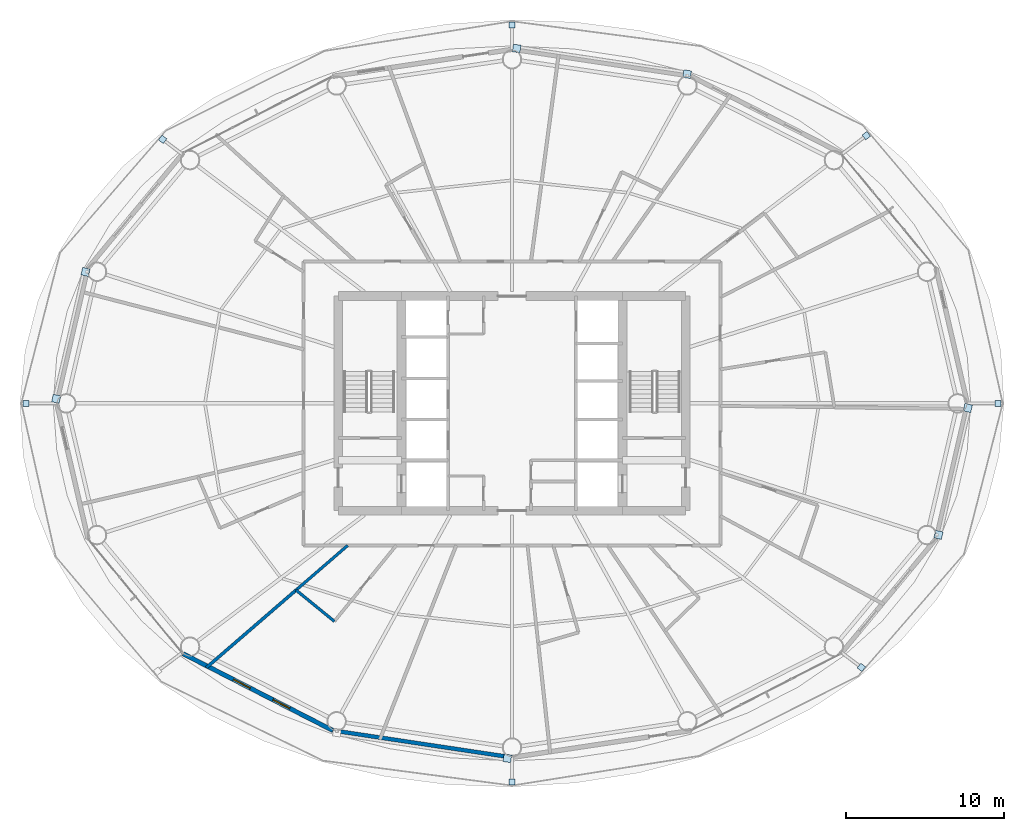
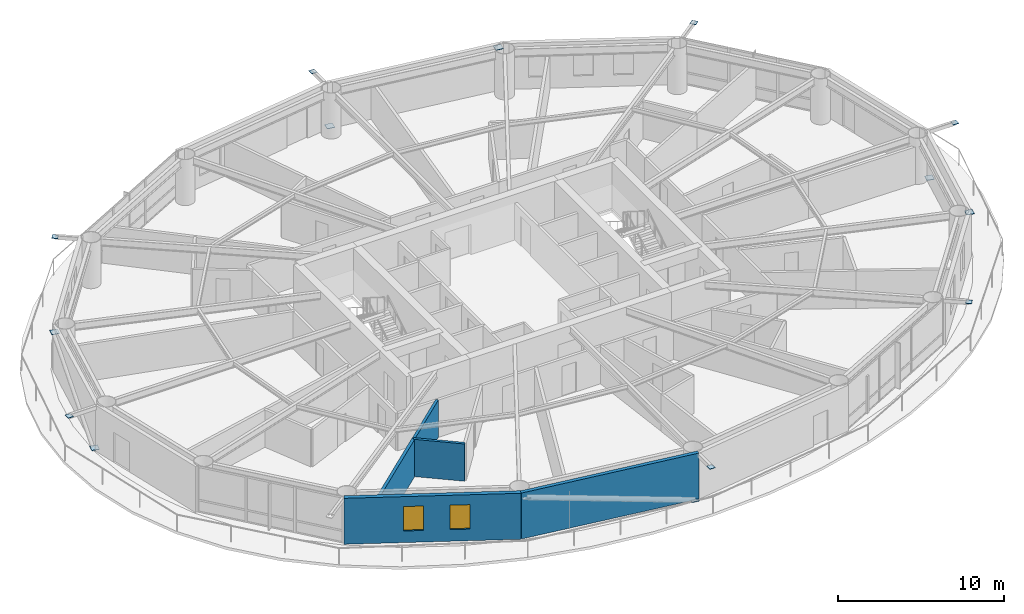
# One storey, part 17 of 24: 14 plates, 5 walls, 2 windows, 2 openings.
"""IFC4 building model written with IfcOpenShell, lengths in metres."""

from ifc_helpers import new_model, si_unit, direction, frame, frame_2d, origin, origin_2d, place, context, subcontext, project, spatial, rectangle, extrude, material, layer, layer_set, type_object, element, fill, save


model = new_model("IFC4")

# Units and contexts
model_context = context("Model", 3, precision=1e-05, world=origin(), true_north=direction((0.0, 1.0)))
body_context = subcontext(model_context, "Body", "Model", "MODEL_VIEW")
ifc_project = project(units=[si_unit("LENGTHUNIT", "METRE"), si_unit("AREAUNIT", "SQUARE_METRE"), si_unit("VOLUMEUNIT", "CUBIC_METRE"), si_unit("PLANEANGLEUNIT", "RADIAN"), si_unit("MASSUNIT", "GRAM", prefix="KILO")], contexts=[model_context])

# Site, building, storey
site_placement = place(None, origin())
site = spatial("IfcSite", under=ifc_project, at=site_placement, CompositionType="ELEMENT")
building_placement = place(site_placement, origin())
building = spatial("IfcBuilding", under=site, at=building_placement, Name="Sarneth Arch Tower", CompositionType="ELEMENT")
storey_placement = place(building_placement, frame((0.0, 0.0, 109.199951171875)))
storey = spatial("IfcBuildingStorey", under=building, at=storey_placement, Name="L27", CompositionType="ELEMENT", Elevation=109.199951171875)

# Plates
ifc_material_1 = material(Name="Steel S355", Category="steel")
ifc_layer_1 = layer(ifc_material_1, 0.035888671875)
ifc_layer_set_1 = layer_set([ifc_layer_1], Name="Steel S355")
plate_type = type_object("IfcPlateType", Name="PLT-GUSSET-30", PredefinedType="SHEET", material=ifc_layer_set_1)
for number, where, z_axis, x_axis, name in (
    (1, (78.802734375, 42.0, 3.2021484375), (0.0, 0.0, 1.0), (1.0, 0.0, 0.0), "Steel end cap plate GP-1"),
    (2, (70.4501953125, 58.966064453125, 3.2021484375), (0.0, 0.0, 1.0), (0.797794439539, 0.602929541689, 0.0), "Steel end cap plate GP-1"),
):
    element("IfcPlate", number, at=place(storey_placement, frame(where, z_axis=z_axis, x_axis=x_axis)), inside=storey, type_object=plate_type, Name=name, PredefinedType="SHEET", context=body_context, shape_type="SweptSolid", body=[
        extrude(rectangle(XDim=0.3798828125, YDim=0.3798828125, at=origin_2d()), origin(), (0.0, 0.0, 1.0), 0.035888671875),
    ])
for number, where, z_axis, x_axis, name in (
    (3, (48.296630859375, 64.4853515625, 0.001953125), (0.0, 0.0, 1.0), (-0.988860535448, 0.148845024885, 0.0), "Steel end cap plate GP-1"),
    (4, (59.0927734375, 62.859619140625, 2.9951171875), (0.0, 0.0, 1.0), (-0.988860535448, 0.148845024885, 0.0), "Steel end cap plate GP-1"),
):
    element("IfcPlate", number, at=place(storey_placement, frame(where, z_axis=z_axis, x_axis=x_axis)), inside=storey, type_object=plate_type, Name=name, PredefinedType="SHEET", context=body_context, shape_type="SweptSolid", body=[
        extrude(rectangle(XDim=0.486083984375, YDim=0.486083984375, at=origin_2d()), origin(), (0.0, 0.0, 1.0), 0.035888671875),
    ])
for number, where, z_axis, x_axis, name in (
    (5, (48.0, 65.98388671875, 3.2021484375), (0.0, 0.0, 1.0), (0.0, 1.0, 0.0), "Steel end cap plate GP-1"),
    (6, (25.865478515625, 58.7275390625, 3.2021484375), (0.0, 0.0, 1.0), (-0.797794439539, 0.602929541689, 0.0), "Steel end cap plate GP-1"),
):
    element("IfcPlate", number, at=place(storey_placement, frame(where, z_axis=z_axis, x_axis=x_axis)), inside=storey, type_object=plate_type, Name=name, PredefinedType="SHEET", context=body_context, shape_type="SweptSolid", body=[
        extrude(rectangle(XDim=0.3798828125, YDim=0.3798828125, at=origin_2d()), origin(), (0.0, 0.0, 1.0), 0.035888671875),
    ])
for number, where, z_axis, x_axis, name in (
    (7, (19.121337890625, 42.292236328125, 0.001953125), (0.0, 0.0, 1.0), (-0.225291159947, -0.974291482694, 0.0), "Steel end cap plate GP-1"),
    (8, (20.98046875, 50.32958984375, 2.9951171875), (0.0, 0.0, 1.0), (-0.225291159947, -0.974291482694, 0.0), "Steel end cap plate GP-1"),
):
    element("IfcPlate", number, at=place(storey_placement, frame(where, z_axis=z_axis, x_axis=x_axis)), inside=storey, type_object=plate_type, Name=name, PredefinedType="SHEET", context=body_context, shape_type="SweptSolid", body=[
        extrude(rectangle(XDim=0.486083984375, YDim=0.486083984375, at=origin_2d()), origin(), (0.0, 0.0, 1.0), 0.035888671875),
    ])
plate_1_placement = place(storey_placement, frame((17.197265625, 42.0, 3.2021484375), z_axis=(0.0, 0.0, 1.0), x_axis=(-1.0, 0.0, 0.0)))
element("IfcPlate", 9, at=plate_1_placement, inside=storey, type_object=plate_type, Name="Steel end cap plate GP-1", PredefinedType="SHEET", context=body_context, shape_type="SweptSolid", body=[
    extrude(rectangle(XDim=0.3798828125, YDim=0.3798828125, at=origin_2d()), origin(), (0.0, 0.0, 1.0), 0.035888671875),
])
plate_2_placement = place(storey_placement, frame((47.703369140625, 19.5146484375, 0.001953125), z_axis=(0.0, 0.0, 1.0), x_axis=(0.988860535448, -0.148845024885, 0.0)))
element("IfcPlate", 10, at=plate_2_placement, inside=storey, type_object=plate_type, Name="Steel end cap plate GP-1", PredefinedType="SHEET", context=body_context, shape_type="SweptSolid", body=[
    extrude(rectangle(XDim=0.486083984375, YDim=0.486083984375, at=origin_2d()), origin(), (0.0, 0.0, 1.0), 0.035888671875),
])
for number, where, z_axis, x_axis, name in (
    (11, (48.0, 18.01611328125, 3.2021484375), (0.0, 0.0, 1.0), (0.0, -1.0, 0.0), "Steel end cap plate GP-1"),
    (12, (70.134521484375, 25.2724609375, 3.2021484375), (0.0, 0.0, 1.0), (0.797794439539, -0.602929541689, 0.0), "Steel end cap plate GP-1"),
):
    element("IfcPlate", number, at=place(storey_placement, frame(where, z_axis=z_axis, x_axis=x_axis)), inside=storey, type_object=plate_type, Name=name, PredefinedType="SHEET", context=body_context, shape_type="SweptSolid", body=[
        extrude(rectangle(XDim=0.3798828125, YDim=0.3798828125, at=origin_2d()), origin(), (0.0, 0.0, 1.0), 0.035888671875),
    ])
for number, where, z_axis, x_axis, name in (
    (13, (76.878662109375, 41.707763671875, 0.001953125), (0.0, 0.0, 1.0), (0.225291159947, 0.974291482694, 0.0), "Steel end cap plate GP-1"),
    (14, (75.01953125, 33.67041015625, 2.9951171875), (0.0, 0.0, 1.0), (0.225291159947, 0.974291482694, 0.0), "Steel end cap plate GP-1"),
):
    element("IfcPlate", number, at=place(storey_placement, frame(where, z_axis=z_axis, x_axis=x_axis)), inside=storey, type_object=plate_type, Name=name, PredefinedType="SHEET", context=body_context, shape_type="SweptSolid", body=[
        extrude(rectangle(XDim=0.486083984375, YDim=0.486083984375, at=origin_2d()), origin(), (0.0, 0.0, 1.0), 0.035888671875),
    ])

# Wall
ifc_material_2 = material(Name="Extruded terracotta rainscreen on Concrete C40/50 backing", Category="masonry")
ifc_layer_2 = layer(ifc_material_2, 0.25)
ifc_layer_set_2 = layer_set([ifc_layer_2], Name="Extruded terracotta rainscreen on Concrete C40/50 backing")
wall_type_1 = type_object("IfcWallType", Name="WALL-EXT-SPAND-250", PredefinedType="SOLIDWALL", material=ifc_layer_set_2)
wall_1_placement = place(storey_placement, frame((36.648681640625, 21.27734375, 0.0), z_axis=(0.0, 0.0, 1.0), x_axis=(0.988877774656, -0.148730450117, 0.0)))
element("IfcWall", 15, at=wall_1_placement, inside=storey, type_object=wall_type_1, Name="L27 Terracotta perimeter wall 12", PredefinedType="SOLIDWALL", context=body_context, shape_type="SweptSolid", body=[
    extrude(rectangle(XDim=11.47900390625, YDim=0.25, at=frame_2d((5.739501953125, 0.0))), origin(), (0.0, 0.0, 1.0), 3.380126953125),
])

# Wall, openings, windows
ifc_material_3 = material(Name="Extruded terracotta rainscreen on Concrete C40/50 backing", Category="masonry")
ifc_layer_3 = layer(ifc_material_3, 0.280029296875)
ifc_layer_set_3 = layer_set([ifc_layer_3], Name="Extruded terracotta rainscreen on Concrete C40/50 backing")
wall_type_2 = type_object("IfcWallType", Name="WALL-EXT-TERRA-280", PredefinedType="SOLIDWALL", material=ifc_layer_set_3)
wall_2_placement = place(storey_placement, frame((27.159912109375, 26.1396484375, 0.0), z_axis=(0.0, 0.0, 1.0), x_axis=(0.889959505023, -0.45603955905, 0.0)))
wall_2 = element("IfcWall", 16, at=wall_2_placement, inside=storey, type_object=wall_type_2, Name="L27 Terracotta perimeter wall 11", PredefinedType="SOLIDWALL", context=body_context, shape_type="SweptSolid", body=[
    extrude(rectangle(XDim=10.662109375, YDim=0.280029296875, at=frame_2d((5.3310546875, 0.0))), origin(), (0.0, 0.0, 1.0), 3.380126953125),
])
opening_1_placement = place(wall_2_placement, frame((3.580810546875, 0.0, 0.85009765625)))
opening_1 = element("IfcOpeningElement", 17, at=opening_1_placement, cuts=wall_2, Name="Opening W-09", PredefinedType="OPENING", context=body_context, shape_type="SweptSolid", body=[
    extrude(rectangle(XDim=1.199951171875, YDim=1.800048828125, at=frame_2d((0.60009765625, 0.89990234375))), frame((0.0, 0.14990234375, 0.0), z_axis=(0.0, -1.0, 0.0), x_axis=(1.0, 0.0, 0.0)), (0.0, 0.0, 1.0), 0.300048828125),
])
opening_2_placement = place(wall_2_placement, frame((6.395751953125, 0.0, 0.85009765625)))
opening_2 = element("IfcOpeningElement", 18, at=opening_2_placement, cuts=wall_2, Name="Opening W-09", PredefinedType="OPENING", context=body_context, shape_type="SweptSolid", body=[
    extrude(rectangle(XDim=1.199951171875, YDim=1.800048828125, at=frame_2d((0.60009765625, 0.89990234375))), frame((0.0, 0.14990234375, 0.0), z_axis=(0.0, -1.0, 0.0), x_axis=(1.0, 0.0, 0.0)), (0.0, 0.0, 1.0), 0.300048828125),
])
ifc_material_4 = material(Name="Thermally broken Aluminium 6063-T6 and low-e laminated IGU", Category="aluminium")
window_type = type_object("IfcWindowType", Name="WIN-TWR-1200x1800", PartitioningType="SINGLE_PANEL", PredefinedType="WINDOW", material=ifc_material_4)
window_1_placement = place(opening_1_placement, origin())
window_1 = element("IfcWindow", 19, at=window_1_placement, inside=storey, type_object=window_type, Name="L27 Exterior window 11A", OverallHeight=1.800048828125, OverallWidth=1.199951171875, PartitioningType="SINGLE_PANEL", PredefinedType="WINDOW", context=body_context, shape_type="SweptSolid", body=[
    extrude(rectangle(XDim=1.199951171875, YDim=1.800048828125, at=frame_2d((0.60009765625, 0.89990234375))), frame((0.0, 0.030029296875, 0.0), z_axis=(0.0, -1.0, 0.0), x_axis=(1.0, 0.0, 0.0)), (0.0, 0.0, 1.0), 0.06005859375),
])
fill(opening_1, window_1)
window_2_placement = place(opening_2_placement, origin())
window_2 = element("IfcWindow", 20, at=window_2_placement, inside=storey, type_object=window_type, Name="L27 Exterior window 11B", OverallHeight=1.800048828125, OverallWidth=1.199951171875, PartitioningType="SINGLE_PANEL", PredefinedType="WINDOW", context=body_context, shape_type="SweptSolid", body=[
    extrude(rectangle(XDim=1.199951171875, YDim=1.800048828125, at=frame_2d((0.60009765625, 0.89990234375))), frame((0.0, 0.030029296875, 0.0), z_axis=(0.0, -1.0, 0.0), x_axis=(1.0, 0.0, 0.0)), (0.0, 0.0, 1.0), 0.06005859375),
])
fill(opening_2, window_2)

# Walls
ifc_material_5 = material(Name="Moisture-resistant plumbing chase wall", Category="gypsum")
ifc_layer_4 = layer(ifc_material_5, 0.179931640625)
ifc_layer_set_4 = layer_set([ifc_layer_4], Name="Moisture-resistant plumbing chase wall")
wall_type_3 = type_object("IfcWallType", Name="WALL-PLUMB-180", PredefinedType="PLUMBINGWALL", material=ifc_layer_set_4)
wall_3_placement = place(storey_placement, frame((34.318603515625, 30.171142578125, 0.0), z_axis=(0.0, 0.0, 1.0), x_axis=(0.756448461864, 0.654053304053, 0.0)))
element("IfcWall", 21, at=wall_3_placement, inside=storey, type_object=wall_type_3, Name="L27 Interior partition W-L27-TP-051", PredefinedType="PLUMBINGWALL", context=body_context, shape_type="SweptSolid", body=[
    extrude(rectangle(XDim=4.3251953125, YDim=0.179931640625, at=frame_2d((2.16259765625, 0.0))), origin(), (0.0, 0.0, 1.0), 2.739990234375),
])
wall_4_placement = place(storey_placement, frame((36.745361328125, 28.193115234375, 0.0), z_axis=(0.0, 0.0, 1.0), x_axis=(-0.775130314585, 0.631801389212, 0.0)))
element("IfcWall", 22, at=wall_4_placement, inside=storey, type_object=wall_type_3, Name="L27 Interior partition W-L27-TP-053", PredefinedType="PLUMBINGWALL", context=body_context, shape_type="SweptSolid", body=[
    extrude(rectangle(XDim=3.130859375, YDim=0.179931640625, at=frame_2d((1.5654296875, 0.0))), origin(), (0.0, 0.0, 1.0), 2.739990234375),
])
ifc_material_6 = material(Name="Double steel-stud acoustic drywall", Category="steel")
ifc_layer_5 = layer(ifc_material_6, 0.199951171875)
ifc_layer_set_5 = layer_set([ifc_layer_5], Name="Double steel-stud acoustic drywall")
wall_type_4 = type_object("IfcWallType", Name="WALL-UNIT-200", PredefinedType="PARTITIONING", material=ifc_layer_set_5)
wall_5_placement = place(storey_placement, frame((28.635986328125, 25.25830078125, 0.0), z_axis=(0.0, 0.0, 1.0), x_axis=(0.756485284597, 0.654010714124, 0.0)))
element("IfcWall", 23, at=wall_5_placement, inside=storey, type_object=wall_type_4, Name="L27 Interior partition W-L27-TP-050", PredefinedType="PARTITIONING", context=body_context, shape_type="SweptSolid", body=[
    extrude(rectangle(XDim=7.511962890625, YDim=0.199951171875, at=frame_2d((3.755859375, 0.0))), origin(), (0.0, 0.0, 1.0), 2.739990234375),
])

save(model, "model.ifc")
